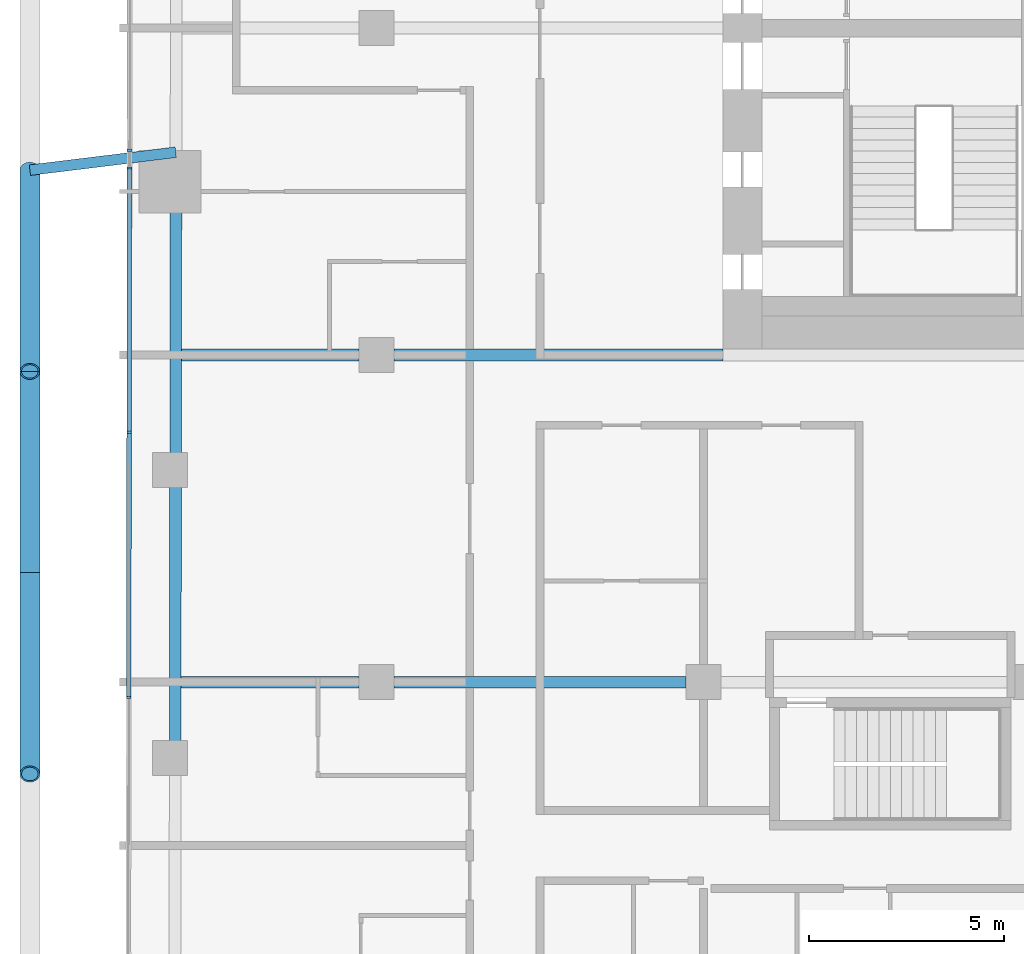
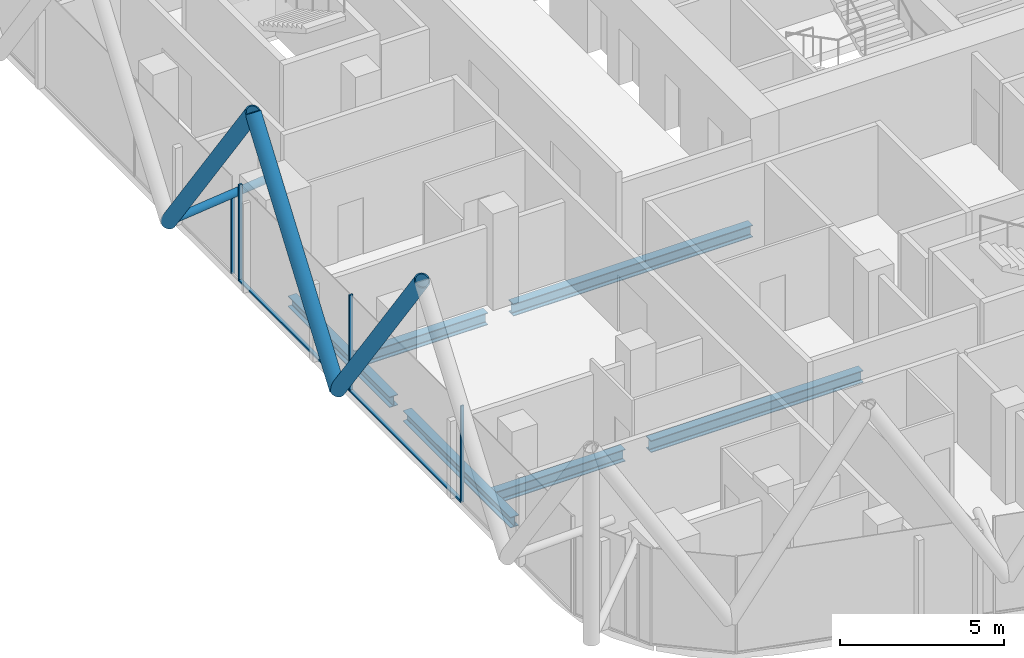
# One storey, part 4 of 36: 10 members, 6 beams, 2 elements without a shape of their own.
"""IFC4 building model written with IfcOpenShell, lengths in metres."""

from ifc_helpers import new_model, si_unit, direction, frame, origin, origin_2d, place, context, subcontext, project, spatial, rectangle, hollow_circle, i_section, extrude, material, layer, layer_set, material_profile, profile_set, type_object, element, aggregate, save


model = new_model("IFC4")

# Units and contexts
model_context = context("Model", 3, precision=1e-05, world=origin(), true_north=direction((0.0, 1.0)))
body_context = subcontext(model_context, "Body", "Model", "MODEL_VIEW")
ifc_project = project(units=[si_unit("LENGTHUNIT", "METRE"), si_unit("AREAUNIT", "SQUARE_METRE"), si_unit("VOLUMEUNIT", "CUBIC_METRE"), si_unit("PLANEANGLEUNIT", "RADIAN"), si_unit("MASSUNIT", "GRAM", prefix="KILO")], contexts=[model_context])

# Site, building, storey
site_placement = place(None, origin())
site = spatial("IfcSite", under=ifc_project, at=site_placement, CompositionType="ELEMENT")
building_placement = place(site_placement, origin())
building = spatial("IfcBuilding", under=site, at=building_placement, Name="Marenta Gate Hotel Tower", CompositionType="ELEMENT")
storey_placement = place(building_placement, frame((0.0, 0.0, 130.10009765625)))
storey = spatial("IfcBuildingStorey", under=building, at=storey_placement, Name="L29", CompositionType="ELEMENT", Elevation=130.10009765625)

# Members
ifc_material_1 = material(Name="Steel S355J2W", Category="steel")
ifc_material_profile_1 = material_profile(ifc_material_1, hollow_circle(Radius=0.25390625, WallThickness=0.0400390625, at=origin_2d()), Name="CHS 508x40")
ifc_profile_set_1 = profile_set([ifc_material_profile_1], Name="Steel S355J2W")
member_type_1 = type_object("IfcMemberType", Name="Diagrid diagonal Z2 CHS 508x40", PredefinedType="BRACE", material=ifc_profile_set_1)
for number, where, z_axis, x_axis, name in (
    (1, (-29.89990234375, -5.590087890625, 3.139892578125), (0.0, -0.583260841117, 0.812284919975), (1.0, 0.0, 0.0), "L29-DG-27"),
    (2, (-29.89990234375, -5.590087890625, 3.139892578125), (0.0, 0.583260841117, 0.812284919975), (-1.0, 0.0, 0.0), "L29-DG-28"),
):
    element("IfcMember", number, at=place(storey_placement, frame(where, z_axis=z_axis, x_axis=x_axis)), inside=storey, type_object=member_type_1, Name=name, PredefinedType="BRACE", context=body_context, shape_type="SweptSolid", body=[
        extrude(hollow_circle(Radius=0.25390625, WallThickness=0.0400390625, at=origin_2d()), origin(), (0.0, 0.0, 1.0), 8.86376953125),
    ])
member_1_placement = place(storey_placement, frame((-29.89990234375, 4.75, 3.139892578125), z_axis=(0.0, -0.583279014058, 0.812271870595), x_axis=(1.0, 0.0, 0.0)))
element("IfcMember", 3, at=member_1_placement, inside=storey, type_object=member_type_1, Name="L29-DG-29", PredefinedType="BRACE", context=body_context, shape_type="SweptSolid", body=[
    extrude(hollow_circle(Radius=0.25390625, WallThickness=0.0400390625, at=origin_2d()), origin(), (0.0, 0.0, 1.0), 8.864013671875),
])

# Beams
ifc_material_2 = material(Name="Steel S355", Category="steel")
ifc_material_profile_2 = material_profile(ifc_material_2, i_section(OverallWidth=0.300048828125, OverallDepth=0.39990234375, WebThickness=0.013427734375, FlangeThickness=0.02392578125, FilletRadius=0.027099609375, at=origin_2d()), Name="HEB 400")
ifc_profile_set_2 = profile_set([ifc_material_profile_2], Name="Steel S355")
beam_type_1 = type_object("IfcBeamType", Name="Edge beam HEB 400", PredefinedType="SPANDREL", material=ifc_profile_set_2)
beam_1_placement = place(storey_placement, frame((-26.167236328125, -9.94189453125, -0.460205078125), z_axis=(0.001372605919, 0.999999057976, 0.0), x_axis=(-0.999999057976, 0.001372605919, 0.0)))
element("IfcBeam", 4, at=beam_1_placement, inside=storey, type_object=beam_type_1, Name="L29-EB-6", PredefinedType="SPANDREL", context=body_context, shape_type="SweptSolid", body=[
    extrude(i_section(OverallWidth=0.300048828125, OverallDepth=0.39990234375, WebThickness=0.013427734375, FlangeThickness=0.02392578125, FilletRadius=0.027099609375, at=origin_2d()), origin(), (0.0, 0.0, 1.0), 6.5810546875),
])
beam_2_placement = place(storey_placement, frame((-26.156982421875, -2.541015625, -0.460205078125), z_axis=(0.001371364591, 0.999999059679, 0.0), x_axis=(-0.999999059679, 0.001371364591, 0.0)))
element("IfcBeam", 5, at=beam_2_placement, inside=storey, type_object=beam_type_1, Name="L29-EB-7", PredefinedType="SPANDREL", context=body_context, shape_type="SweptSolid", body=[
    extrude(i_section(OverallWidth=0.300048828125, OverallDepth=0.39990234375, WebThickness=0.013427734375, FlangeThickness=0.02392578125, FilletRadius=0.027099609375, at=origin_2d()), origin(), (0.0, 0.0, 1.0), 6.23095703125),
])

# Member
ifc_material_3 = material(Name="Steel S355J2W", Category="steel")
ifc_material_profile_3 = material_profile(ifc_material_3, hollow_circle(Radius=0.136474609375, WallThickness=0.012451171875, at=origin_2d()), Name="CHS 273x12.5")
ifc_profile_set_3 = profile_set([ifc_material_profile_3], Name="Steel S355J2W")
member_type_2 = type_object("IfcMemberType", Name="Floor tie CHS 273x12.5", PredefinedType="STRUT", material=ifc_profile_set_3)
member_2_placement = place(storey_placement, frame((-29.89990234375, 4.75, 3.139892578125), z_axis=(0.992572528932, 0.121654325075, 0.0), x_axis=(-0.121654325075, 0.992572528932, 0.0)))
element("IfcMember", 6, at=member_2_placement, inside=storey, type_object=member_type_2, Name="L29-DR-20", PredefinedType="STRUT", context=body_context, shape_type="SweptSolid", body=[
    extrude(hollow_circle(Radius=0.136474609375, WallThickness=0.012451171875, at=origin_2d()), origin(), (0.0, 0.0, 1.0), 3.77490234375),
])

# Beams
ifc_material_4 = material(Name="Steel S355", Category="steel")
ifc_material_profile_4 = material_profile(ifc_material_4, i_section(OverallWidth=0.300048828125, OverallDepth=0.449951171875, WebThickness=0.013916015625, FlangeThickness=0.02587890625, FilletRadius=0.027099609375, at=origin_2d()), Name="HEB 450")
ifc_profile_set_4 = profile_set([ifc_material_profile_4], Name="Steel S355")
beam_type_2 = type_object("IfcBeamType", Name="Girder HEB 450", PredefinedType="BEAM", material=ifc_profile_set_4)
beam_3_placement = place(storey_placement, frame((-26.01513671875, -8.39990234375, -0.485107421875), z_axis=(1.0, 0.0, 0.0), x_axis=(0.0, 1.0, 0.0)))
element("IfcBeam", 7, at=beam_3_placement, inside=storey, type_object=beam_type_2, Name="L29-GD-8", PredefinedType="BEAM", context=body_context, shape_type="SweptSolid", body=[
    extrude(i_section(OverallWidth=0.300048828125, OverallDepth=0.449951171875, WebThickness=0.013916015625, FlangeThickness=0.02587890625, FilletRadius=0.027099609375, at=origin_2d()), origin(), (0.0, 0.0, 1.0), 4.565185546875),
])
beam_4_placement = place(storey_placement, frame((-20.550048828125, -8.39990234375, -0.485107421875), z_axis=(1.0, 0.0, 0.0), x_axis=(0.0, 1.0, 0.0)))
element("IfcBeam", 8, at=beam_4_placement, inside=storey, type_object=beam_type_2, Name="L29-GD-9", PredefinedType="BEAM", context=body_context, shape_type="SweptSolid", body=[
    extrude(i_section(OverallWidth=0.300048828125, OverallDepth=0.449951171875, WebThickness=0.013916015625, FlangeThickness=0.02587890625, FilletRadius=0.027099609375, at=origin_2d()), origin(), (0.0, 0.0, 1.0), 7.5),
])
beam_5_placement = place(storey_placement, frame((-26.003662109375, 0.0, -0.485107421875), z_axis=(1.0, 0.0, 0.0), x_axis=(0.0, 1.0, 0.0)))
element("IfcBeam", 9, at=beam_5_placement, inside=storey, type_object=beam_type_2, Name="L29-GD-15", PredefinedType="BEAM", context=body_context, shape_type="SweptSolid", body=[
    extrude(i_section(OverallWidth=0.300048828125, OverallDepth=0.449951171875, WebThickness=0.013916015625, FlangeThickness=0.02587890625, FilletRadius=0.027099609375, at=origin_2d()), origin(), (0.0, 0.0, 1.0), 4.5537109375),
])
beam_6_placement = place(storey_placement, frame((-20.550048828125, 0.0, -0.485107421875), z_axis=(1.0, 0.0, 0.0), x_axis=(0.0, 1.0, 0.0)))
element("IfcBeam", 10, at=beam_6_placement, inside=storey, type_object=beam_type_2, Name="L29-GD-16", PredefinedType="BEAM", context=body_context, shape_type="SweptSolid", body=[
    extrude(i_section(OverallWidth=0.300048828125, OverallDepth=0.449951171875, WebThickness=0.013916015625, FlangeThickness=0.02587890625, FilletRadius=0.027099609375, at=origin_2d()), origin(), (0.0, 0.0, 1.0), 8.449951171875),
])

# Curtain wall, member
ifc_material_5 = material(Name="Tinted insulated glass in bronze anodised frame", Category="glass")
ifc_layer = layer(ifc_material_5, 0.1201171875)
ifc_layer_set = layer_set([ifc_layer], Name="Tinted insulated glass in bronze anodised frame")
curtain_wall_type = type_object("IfcCurtainWallType", Name="Tower unitised curtain wall CW1", PredefinedType="NOTDEFINED", material=ifc_layer_set)
curtain_wall_1_placement = place(storey_placement, origin())
curtain_wall_1 = element("IfcCurtainWall", 11, at=curtain_wall_1_placement, inside=storey, type_object=curtain_wall_type, Name="CW1 run G07", PredefinedType="NOTDEFINED")
ifc_material_6 = material(Name="Bronze anodised aluminium", Category="aluminium")
ifc_material_profile_5 = material_profile(ifc_material_6, rectangle(XDim=0.1201171875, YDim=0.06005859375, at=origin_2d()), Name="Mullion CW1 60x120 bronze anodised aluminium")
ifc_profile_set_5 = profile_set([ifc_material_profile_5], Name="Bronze anodised aluminium")
member_type_3 = type_object("IfcMemberType", Name="Mullion CW1 60x120 bronze anodised aluminium", PredefinedType="MULLION", material=ifc_profile_set_5)
member_3_placement = place(storey_placement, frame((-27.34033203125, 5.261962890625, 0.0), z_axis=(0.0, 0.0, 1.0), x_axis=(0.999998824335, -0.001533404542, 0.0)))
member_3 = element("IfcMember", 12, at=member_3_placement, type_object=member_type_3, Name="CW1 mullion 1", PredefinedType="MULLION", context=body_context, shape_type="SweptSolid", body=[
    extrude(rectangle(XDim=0.1201171875, YDim=0.06005859375, at=origin_2d()), origin(), (0.0, 0.0, 1.0), 3.00048828125),
])
aggregate(curtain_wall_1, [member_3])

# Curtain wall, members
curtain_wall_2_placement = place(storey_placement, origin())
curtain_wall_2 = element("IfcCurtainWall", 13, at=curtain_wall_2_placement, inside=storey, type_object=curtain_wall_type, Name="CW1 run G08", PredefinedType="NOTDEFINED")
member_4_placement = place(storey_placement, frame((-27.341064453125, 4.805419921875, 0.0), z_axis=(0.0, 0.0, 1.0), x_axis=(0.999998775571, -0.001564882094, 0.0)))
member_4 = element("IfcMember", 14, at=member_4_placement, type_object=member_type_3, Name="CW1 mullion 1", PredefinedType="MULLION", context=body_context, shape_type="SweptSolid", body=[
    extrude(rectangle(XDim=0.1201171875, YDim=0.06005859375, at=origin_2d()), origin(), (0.0, 0.0, 1.0), 3.599853515625),
])
member_5_placement = place(storey_placement, frame((-27.3515625, -1.98095703125, 0.0), z_axis=(0.0, 0.0, 1.0), x_axis=(0.999998775571, -0.001564882094, 0.0)))
member_5 = element("IfcMember", 15, at=member_5_placement, type_object=member_type_3, Name="CW1 mullion 2", PredefinedType="MULLION", context=body_context, shape_type="SweptSolid", body=[
    extrude(rectangle(XDim=0.1201171875, YDim=0.06005859375, at=origin_2d()), origin(), (0.0, 0.0, 1.0), 3.599853515625),
])
member_6_placement = place(storey_placement, frame((-27.3623046875, -8.797119140625, 0.0), z_axis=(0.0, 0.0, 1.0), x_axis=(0.999998775571, -0.001564882094, 0.0)))
member_6 = element("IfcMember", 16, at=member_6_placement, type_object=member_type_3, Name="CW1 mullion 3", PredefinedType="MULLION", context=body_context, shape_type="SweptSolid", body=[
    extrude(rectangle(XDim=0.1201171875, YDim=0.06005859375, at=origin_2d()), origin(), (0.0, 0.0, 1.0), 3.599853515625),
])
ifc_material_7 = material(Name="Bronze anodised aluminium", Category="aluminium")
ifc_material_profile_6 = material_profile(ifc_material_7, rectangle(XDim=0.1201171875, YDim=0.06005859375, at=origin_2d()), Name="Transom CW1 60x120 bronze anodised aluminium")
ifc_profile_set_6 = profile_set([ifc_material_profile_6], Name="Bronze anodised aluminium")
member_type_4 = type_object("IfcMemberType", Name="Transom CW1 60x120 bronze anodised aluminium", PredefinedType="USERDEFINED", material=ifc_profile_set_6)
member_7_placement = place(storey_placement, frame((-27.341064453125, 4.775390625, 0.02978515625), z_axis=(-0.001560739996, -0.999998782045, 0.0), x_axis=(0.999998782045, -0.001560739996, 0.0)))
member_7 = element("IfcMember", 17, at=member_7_placement, type_object=member_type_4, Name="CW1 transom 1.1", ObjectType="TRANSOM", PredefinedType="USERDEFINED", context=body_context, shape_type="SweptSolid", body=[
    extrude(rectangle(XDim=0.1201171875, YDim=0.06005859375, at=origin_2d()), origin(), (0.0, 0.0, 1.0), 6.726318359375),
])
member_8_placement = place(storey_placement, frame((-27.3515625, -2.010986328125, 0.02978515625), z_axis=(-0.001589995461, -0.999998735956, 0.0), x_axis=(0.999998735956, -0.001589995461, 0.0)))
member_8 = element("IfcMember", 18, at=member_8_placement, type_object=member_type_4, Name="CW1 transom 2.1", ObjectType="TRANSOM", PredefinedType="USERDEFINED", context=body_context, shape_type="SweptSolid", body=[
    extrude(rectangle(XDim=0.1201171875, YDim=0.06005859375, at=origin_2d()), origin(), (0.0, 0.0, 1.0), 6.756103515625),
])
aggregate(curtain_wall_2, [member_4, member_5, member_6, member_7, member_8])

save(model, "model.ifc")
